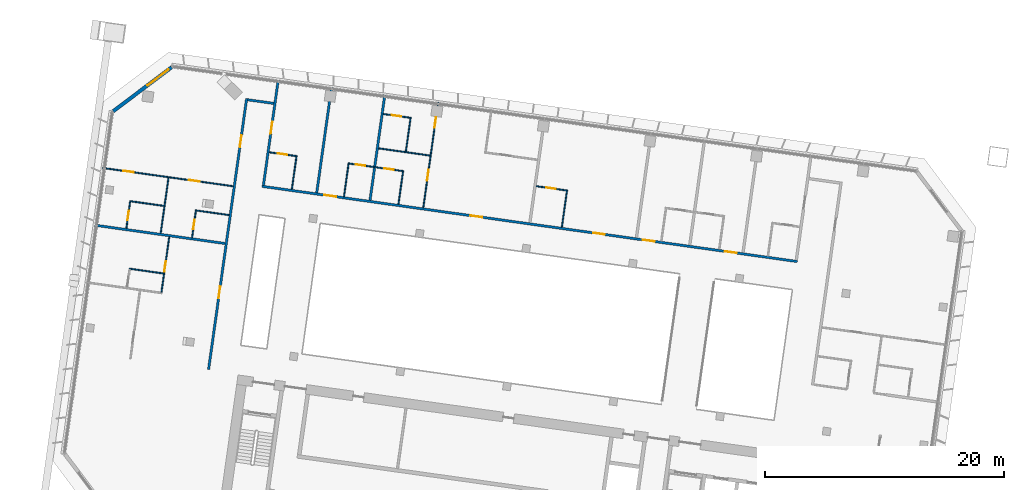
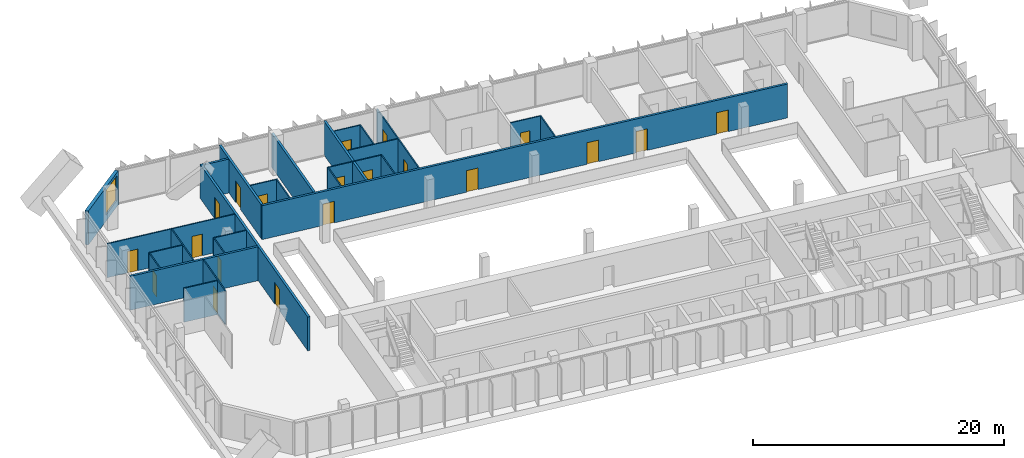
# One storey, part 20 of 34: 27 walls, 20 doors, 1 window, 21 openings.
"""IFC4 building model written with IfcOpenShell, lengths in metres."""

from ifc_helpers import new_model, si_unit, direction, frame, frame_2d, origin, place, context, subcontext, project, spatial, rectangle, extrude, material, layer, layer_set, type_object, element, fill, save


model = new_model("IFC4")

# Units and contexts
model_context = context("Model", 3, precision=1e-05, world=origin(), true_north=direction((0.0, 1.0)))
body_context = subcontext(model_context, "Body", "Model", "MODEL_VIEW")
ifc_project = project(units=[si_unit("LENGTHUNIT", "METRE"), si_unit("AREAUNIT", "SQUARE_METRE"), si_unit("VOLUMEUNIT", "CUBIC_METRE"), si_unit("PLANEANGLEUNIT", "RADIAN"), si_unit("MASSUNIT", "GRAM", prefix="KILO")], contexts=[model_context])

# Site, building, storey
site_placement = place(None, origin())
site = spatial("IfcSite", under=ifc_project, at=site_placement, CompositionType="ELEMENT")
building_placement = place(site_placement, origin())
building = spatial("IfcBuilding", under=site, at=building_placement, Name="Mirante Cascada Hotel Towers", CompositionType="ELEMENT")
storey_placement = place(building_placement, frame((0.0, 0.0, 148.1)))
storey = spatial("IfcBuildingStorey", under=building, at=storey_placement, Name="L34", CompositionType="ELEMENT", Elevation=148.1)

# Wall
ifc_material_1 = material(Name="Fire-rated plasterboard on metal studs")
ifc_layer_1 = layer(ifc_material_1, 0.2)
ifc_layer_set_1 = layer_set([ifc_layer_1], Name="Compartment wall 200 EI 120")
wall_type_1 = type_object("IfcWallType", Name="Compartment wall 200 EI 120", PredefinedType="PARTITIONING", material=ifc_layer_set_1)
wall_1_placement = place(storey_placement, frame((-100.6266, 12.8067, 0.0), z_axis=(0.0, 0.0, 1.0), x_axis=(0.990268, -0.1391733, 0.0)))
element("IfcWall", 1, at=wall_1_placement, inside=storey, type_object=wall_type_1, Name="Wall 1-L34-12", PredefinedType="PARTITIONING", context=body_context, shape_type="SweptSolid", body=[
    extrude(rectangle(XDim=11.0, YDim=0.2, at=frame_2d((5.5, 0.0))), origin(), (0.0, 0.0, 1.0), 3.3),
])

# Wall, openings, doors
wall_2_placement = place(storey_placement, frame((-86.638, 16.0582, 0.0), z_axis=(0.0, 0.0, 1.0), x_axis=(0.9902681, -0.1391726, 0.0)))
wall_2 = element("IfcWall", 2, at=wall_2_placement, inside=storey, type_object=wall_type_1, Name="Wall 1-L34-16", PredefinedType="PARTITIONING", context=body_context, shape_type="SweptSolid", body=[
    extrude(rectangle(XDim=45.2, YDim=0.2, at=frame_2d((22.6, 0.0))), origin(), (0.0, 0.0, 1.0), 3.3),
])
opening_1_placement = place(wall_2_placement, frame((39.0938, 0.0, 0.0)))
opening_1 = element("IfcOpeningElement", 3, at=opening_1_placement, cuts=wall_2, Name="Opening D1-L34-06", PredefinedType="OPENING", context=body_context, shape_type="SweptSolid", body=[
    extrude(rectangle(XDim=1.0, YDim=2.1, at=frame_2d((0.5, 1.05))), frame((0.0, 0.1, 0.0), z_axis=(0.0, -1.0, 0.0), x_axis=(1.0, 0.0, 0.0)), (0.0, 0.0, 1.0), 0.2),
])
opening_2_placement = place(wall_2_placement, frame((32.15, 0.0, 0.0)))
opening_2 = element("IfcOpeningElement", 4, at=opening_2_placement, cuts=wall_2, Name="Opening D1-L34-07", PredefinedType="OPENING", context=body_context, shape_type="SweptSolid", body=[
    extrude(rectangle(XDim=1.0, YDim=2.1, at=frame_2d((0.5, 1.05))), frame((0.0, 0.1, 0.0), z_axis=(0.0, -1.0, 0.0), x_axis=(1.0, 0.0, 0.0)), (0.0, 0.0, 1.0), 0.2),
])
opening_3_placement = place(wall_2_placement, frame((27.95, 0.0, 0.0)))
opening_3 = element("IfcOpeningElement", 5, at=opening_3_placement, cuts=wall_2, Name="Opening D1-L34-08", PredefinedType="OPENING", context=body_context, shape_type="SweptSolid", body=[
    extrude(rectangle(XDim=1.0, YDim=2.1, at=frame_2d((0.5, 1.05))), frame((0.0, 0.1, 0.0), z_axis=(0.0, -1.0, 0.0), x_axis=(1.0, 0.0, 0.0)), (0.0, 0.0, 1.0), 0.2),
])
opening_4_placement = place(wall_2_placement, frame((17.6, 0.0, 0.0)))
opening_4 = element("IfcOpeningElement", 6, at=opening_4_placement, cuts=wall_2, Name="Opening D1-L34-09", PredefinedType="OPENING", context=body_context, shape_type="SweptSolid", body=[
    extrude(rectangle(XDim=1.0, YDim=2.1, at=frame_2d((0.5, 1.05))), frame((0.0, 0.1, 0.0), z_axis=(0.0, -1.0, 0.0), x_axis=(1.0, 0.0, 0.0)), (0.0, 0.0, 1.0), 0.2),
])
opening_5_placement = place(wall_2_placement, frame((5.25, 0.0, 0.0)))
opening_5 = element("IfcOpeningElement", 7, at=opening_5_placement, cuts=wall_2, Name="Opening D1-L34-10", PredefinedType="OPENING", context=body_context, shape_type="SweptSolid", body=[
    extrude(rectangle(XDim=1.0, YDim=2.1, at=frame_2d((0.5, 1.05))), frame((0.0, 0.1, 0.0), z_axis=(0.0, -1.0, 0.0), x_axis=(1.0, 0.0, 0.0)), (0.0, 0.0, 1.0), 0.2),
])
ifc_material_2 = material(Name="Fire-rated timber door leaf", Category="wood")
door_type_1 = type_object("IfcDoorType", Name="Entrance door DG1 1000x2100 EI 60", OperationType="SINGLE_SWING_LEFT", PredefinedType="DOOR", material=ifc_material_2)
door_1_placement = place(opening_1_placement, origin())
door_1 = element("IfcDoor", 8, at=door_1_placement, inside=storey, type_object=door_type_1, Name="Door D1-L34-06", OperationType="SINGLE_SWING_LEFT", OverallHeight=2.1, OverallWidth=1.0, PredefinedType="DOOR", context=body_context, shape_type="SweptSolid", body=[
    extrude(rectangle(XDim=1.0, YDim=2.1, at=frame_2d((0.5, 1.05))), frame((0.0, 0.025, 0.0), z_axis=(0.0, -1.0, 0.0), x_axis=(1.0, 0.0, 0.0)), (0.0, 0.0, 1.0), 0.05),
])
fill(opening_1, door_1)
door_2_placement = place(opening_2_placement, origin())
door_2 = element("IfcDoor", 9, at=door_2_placement, inside=storey, type_object=door_type_1, Name="Door D1-L34-07", OperationType="SINGLE_SWING_LEFT", OverallHeight=2.1, OverallWidth=1.0, PredefinedType="DOOR", context=body_context, shape_type="SweptSolid", body=[
    extrude(rectangle(XDim=1.0, YDim=2.1, at=frame_2d((0.5, 1.05))), frame((0.0, 0.025, 0.0), z_axis=(0.0, -1.0, 0.0), x_axis=(1.0, 0.0, 0.0)), (0.0, 0.0, 1.0), 0.05),
])
fill(opening_2, door_2)
door_3_placement = place(opening_3_placement, origin())
door_3 = element("IfcDoor", 10, at=door_3_placement, inside=storey, type_object=door_type_1, Name="Door D1-L34-08", OperationType="SINGLE_SWING_LEFT", OverallHeight=2.1, OverallWidth=1.0, PredefinedType="DOOR", context=body_context, shape_type="SweptSolid", body=[
    extrude(rectangle(XDim=1.0, YDim=2.1, at=frame_2d((0.5, 1.05))), frame((0.0, 0.025, 0.0), z_axis=(0.0, -1.0, 0.0), x_axis=(1.0, 0.0, 0.0)), (0.0, 0.0, 1.0), 0.05),
])
fill(opening_3, door_3)
door_4_placement = place(opening_4_placement, origin())
door_4 = element("IfcDoor", 11, at=door_4_placement, inside=storey, type_object=door_type_1, Name="Door D1-L34-09", OperationType="SINGLE_SWING_LEFT", OverallHeight=2.1, OverallWidth=1.0, PredefinedType="DOOR", context=body_context, shape_type="SweptSolid", body=[
    extrude(rectangle(XDim=1.0, YDim=2.1, at=frame_2d((0.5, 1.05))), frame((0.0, 0.025, 0.0), z_axis=(0.0, -1.0, 0.0), x_axis=(1.0, 0.0, 0.0)), (0.0, 0.0, 1.0), 0.05),
])
fill(opening_4, door_4)
door_5_placement = place(opening_5_placement, origin())
door_5 = element("IfcDoor", 12, at=door_5_placement, inside=storey, type_object=door_type_1, Name="Door D1-L34-10", OperationType="SINGLE_SWING_LEFT", OverallHeight=2.1, OverallWidth=1.0, PredefinedType="DOOR", context=body_context, shape_type="SweptSolid", body=[
    extrude(rectangle(XDim=1.0, YDim=2.1, at=frame_2d((0.5, 1.05))), frame((0.0, 0.025, 0.0), z_axis=(0.0, -1.0, 0.0), x_axis=(1.0, 0.0, 0.0)), (0.0, 0.0, 1.0), 0.05),
])
fill(opening_5, door_5)

# Walls
wall_3_placement = place(storey_placement, frame((-85.6638, 22.9901, 0.0), z_axis=(0.0, 0.0, 1.0), x_axis=(-0.990267, 0.139181, 0.0)))
element("IfcWall", 13, at=wall_3_placement, inside=storey, type_object=wall_type_1, Name="Wall 1-L34-25", PredefinedType="PARTITIONING", context=body_context, shape_type="SweptSolid", body=[
    extrude(rectangle(XDim=2.2, YDim=0.2, at=frame_2d((1.1, 0.0))), origin(), (0.0, 0.0, 1.0), 3.3),
])
wall_4_placement = place(storey_placement, frame((-76.374, 23.7042, 0.0), z_axis=(0.0, 0.0, 1.0), x_axis=(-0.1391684, -0.9902687, 0.0)))
element("IfcWall", 14, at=wall_4_placement, inside=storey, type_object=wall_type_1, Name="Wall 1-L34-46", PredefinedType="PARTITIONING", context=body_context, shape_type="SweptSolid", body=[
    extrude(rectangle(XDim=8.9, YDim=0.2, at=frame_2d((4.45, 0.0))), origin(), (0.0, 0.0, 1.0), 3.3),
])
wall_5_placement = place(storey_placement, frame((-80.8302, 24.3304, 0.0), z_axis=(0.0, 0.0, 1.0), x_axis=(-0.13917, -0.9902685, 0.0)))
element("IfcWall", 15, at=wall_5_placement, inside=storey, type_object=wall_type_1, Name="Wall 1-L34-48", PredefinedType="PARTITIONING", context=body_context, shape_type="SweptSolid", body=[
    extrude(rectangle(XDim=8.8999, YDim=0.2, at=frame_2d((4.45, 0.0))), origin(), (0.0, 0.0, 1.0), 3.3),
])

# Wall, opening, door
wall_6_placement = place(storey_placement, frame((-85.2864, 24.9567, 0.0), z_axis=(0.0, 0.0, 1.0), x_axis=(-0.1391684, -0.9902687, 0.0)))
wall_6 = element("IfcWall", 16, at=wall_6_placement, inside=storey, type_object=wall_type_1, Name="Wall 1-L34-50", PredefinedType="PARTITIONING", context=body_context, shape_type="SweptSolid", body=[
    extrude(rectangle(XDim=8.9, YDim=0.2, at=frame_2d((4.45, 0.0))), origin(), (0.0, 0.0, 1.0), 3.3),
])
opening_6_placement = place(wall_6_placement, frame((3.55, 0.0, 0.0)))
opening_6 = element("IfcOpeningElement", 17, at=opening_6_placement, cuts=wall_6, Name="Opening D1-L34-28", PredefinedType="OPENING", context=body_context, shape_type="SweptSolid", body=[
    extrude(rectangle(XDim=1.0, YDim=2.1, at=frame_2d((0.5, 1.05))), frame((0.0, 0.1, 0.0), z_axis=(0.0, -1.0, 0.0), x_axis=(1.0, 0.0, 0.0)), (0.0, 0.0, 1.0), 0.2),
])
door_6_placement = place(opening_6_placement, origin())
door_6 = element("IfcDoor", 18, at=door_6_placement, inside=storey, type_object=door_type_1, Name="Door D1-L34-28", OperationType="SINGLE_SWING_LEFT", OverallHeight=2.1, OverallWidth=1.0, PredefinedType="DOOR", context=body_context, shape_type="SweptSolid", body=[
    extrude(rectangle(XDim=1.0, YDim=2.1, at=frame_2d((0.5, 1.05))), frame((0.0, 0.025, 0.0), z_axis=(0.0, -1.0, 0.0), x_axis=(1.0, 0.0, 0.0)), (0.0, 0.0, 1.0), 0.05),
])
fill(opening_6, door_6)

# Wall, openings, doors
wall_7_placement = place(storey_placement, frame((-91.1145, 0.7321, 0.0), z_axis=(0.0, 0.0, 1.0), x_axis=(0.1391706, 0.9902684, 0.0)))
wall_7 = element("IfcWall", 19, at=wall_7_placement, inside=storey, type_object=wall_type_1, Name="Wall 1-L34-51", PredefinedType="PARTITIONING", context=body_context, shape_type="SweptSolid", body=[
    extrude(rectangle(XDim=22.9, YDim=0.2, at=frame_2d((11.45, 0.0))), origin(), (0.0, 0.0, 1.0), 3.3),
])
opening_7_placement = place(wall_7_placement, frame((6.0167, 0.0, 0.0)))
opening_7 = element("IfcOpeningElement", 20, at=opening_7_placement, cuts=wall_7, Name="Opening D1-L34-29", PredefinedType="OPENING", context=body_context, shape_type="SweptSolid", body=[
    extrude(rectangle(XDim=1.0, YDim=2.1, at=frame_2d((0.5, 1.05))), frame((0.0, 0.1, 0.0), z_axis=(0.0, -1.0, 0.0), x_axis=(1.0, 0.0, 0.0)), (0.0, 0.0, 1.0), 0.2),
])
opening_8_placement = place(wall_7_placement, frame((18.8, 0.0, 0.0)))
opening_8 = element("IfcOpeningElement", 21, at=opening_8_placement, cuts=wall_7, Name="Opening D1-L34-30", PredefinedType="OPENING", context=body_context, shape_type="SweptSolid", body=[
    extrude(rectangle(XDim=1.0, YDim=2.1, at=frame_2d((0.5, 1.05))), frame((0.0, 0.1, 0.0), z_axis=(0.0, -1.0, 0.0), x_axis=(1.0, 0.0, 0.0)), (0.0, 0.0, 1.0), 0.2),
])
door_7_placement = place(opening_7_placement, origin())
door_7 = element("IfcDoor", 22, at=door_7_placement, inside=storey, type_object=door_type_1, Name="Door D1-L34-29", OperationType="SINGLE_SWING_LEFT", OverallHeight=2.1, OverallWidth=1.0, PredefinedType="DOOR", context=body_context, shape_type="SweptSolid", body=[
    extrude(rectangle(XDim=1.0, YDim=2.1, at=frame_2d((0.5, 1.05))), frame((0.0, 0.025, 0.0), z_axis=(0.0, -1.0, 0.0), x_axis=(1.0, 0.0, 0.0)), (0.0, 0.0, 1.0), 0.05),
])
fill(opening_7, door_7)
door_8_placement = place(opening_8_placement, origin())
door_8 = element("IfcDoor", 23, at=door_8_placement, inside=storey, type_object=door_type_1, Name="Door D1-L34-30", OperationType="SINGLE_SWING_LEFT", OverallHeight=2.1, OverallWidth=1.0, PredefinedType="DOOR", context=body_context, shape_type="SweptSolid", body=[
    extrude(rectangle(XDim=1.0, YDim=2.1, at=frame_2d((0.5, 1.05))), frame((0.0, 0.025, 0.0), z_axis=(0.0, -1.0, 0.0), x_axis=(1.0, 0.0, 0.0)), (0.0, 0.0, 1.0), 0.05),
])
fill(opening_8, door_8)

# Walls
ifc_material_3 = material(Name="Plasterboard on metal studs")
ifc_layer_2 = layer(ifc_material_3, 0.1)
ifc_layer_set_2 = layer_set([ifc_layer_2], Name="Partition 100")
wall_type_2 = type_object("IfcWallType", Name="Partition 100", PredefinedType="PARTITIONING", material=ifc_layer_set_2)
wall_8_placement = place(storey_placement, frame((-97.7546, 9.1716, 0.0), z_axis=(0.0, 0.0, 1.0), x_axis=(0.9902683, -0.1391714, 0.0)))
element("IfcWall", 24, at=wall_8_placement, inside=storey, type_object=wall_type_2, Name="Wall 1-L34-08", PredefinedType="PARTITIONING", context=body_context, shape_type="SweptSolid", body=[
    extrude(rectangle(XDim=2.9, YDim=0.1, at=frame_2d((1.45, 0.0))), origin(), (0.0, 0.0, 1.0), 3.3),
])
wall_9_placement = place(storey_placement, frame((-89.3997, 13.6525, 0.0), z_axis=(0.0, 0.0, 1.0), x_axis=(-0.9902697, 0.1391613, 0.0)))
element("IfcWall", 25, at=wall_9_placement, inside=storey, type_object=wall_type_2, Name="Wall 1-L34-13", PredefinedType="PARTITIONING", context=body_context, shape_type="SweptSolid", body=[
    extrude(rectangle(XDim=2.8499, YDim=0.1, at=frame_2d((1.425, 0.0))), origin(), (0.0, 0.0, 1.0), 3.3),
])
wall_10_placement = place(storey_placement, frame((-97.7179, 14.8215, 0.0), z_axis=(0.0, 0.0, 1.0), x_axis=(0.9902683, -0.1391714, 0.0)))
element("IfcWall", 26, at=wall_10_placement, inside=storey, type_object=wall_type_2, Name="Wall 1-L34-14", PredefinedType="PARTITIONING", context=body_context, shape_type="SweptSolid", body=[
    extrude(rectangle(XDim=2.9, YDim=0.1, at=frame_2d((1.45, 0.0))), origin(), (0.0, 0.0, 1.0), 3.3),
])

# Wall, openings, doors
wall_11_placement = place(storey_placement, frame((-89.061, 16.0622, 0.0), z_axis=(0.0, 0.0, 1.0), x_axis=(-0.9902682, 0.1391721, 0.0)))
wall_11 = element("IfcWall", 27, at=wall_11_placement, inside=storey, type_object=wall_type_2, Name="Wall 1-L34-15", PredefinedType="PARTITIONING", context=body_context, shape_type="SweptSolid", body=[
    extrude(rectangle(XDim=11.0001, YDim=0.1, at=frame_2d((5.5, 0.0))), origin(), (0.0, 0.0, 1.0), 3.3),
])
opening_9_placement = place(wall_11_placement, frame((2.825, 0.0, 0.0)))
opening_9 = element("IfcOpeningElement", 28, at=opening_9_placement, cuts=wall_11, Name="Opening D1-L34-04", PredefinedType="OPENING", context=body_context, shape_type="SweptSolid", body=[
    extrude(rectangle(XDim=0.9, YDim=2.1, at=frame_2d((0.45, 1.05))), frame((0.0, 0.05, 0.0), z_axis=(0.0, -1.0, 0.0), x_axis=(1.0, 0.0, 0.0)), (0.0, 0.0, 1.0), 0.1),
])
opening_10_placement = place(wall_11_placement, frame((8.375, 0.0, 0.0)))
opening_10 = element("IfcOpeningElement", 29, at=opening_10_placement, cuts=wall_11, Name="Opening D1-L34-05", PredefinedType="OPENING", context=body_context, shape_type="SweptSolid", body=[
    extrude(rectangle(XDim=0.9, YDim=2.1, at=frame_2d((0.45, 1.05))), frame((0.0, 0.05, 0.0), z_axis=(0.0, -1.0, 0.0), x_axis=(1.0, 0.0, 0.0)), (0.0, 0.0, 1.0), 0.1),
])
ifc_material_4 = material(Name="Timber door leaf", Category="wood")
door_type_2 = type_object("IfcDoorType", Name="Room door DG3 900x2100", OperationType="SINGLE_SWING_LEFT", PredefinedType="DOOR", material=ifc_material_4)
door_9_placement = place(opening_9_placement, frame((0.9, 0.0, 0.0), z_axis=(0.0, 0.0, 1.0), x_axis=(-1.0, 0.0, 0.0)))
door_9 = element("IfcDoor", 30, at=door_9_placement, inside=storey, type_object=door_type_2, Name="Door D1-L34-04", OperationType="SINGLE_SWING_RIGHT", OverallHeight=2.1, OverallWidth=0.9, PredefinedType="DOOR", context=body_context, shape_type="SweptSolid", body=[
    extrude(rectangle(XDim=0.9, YDim=2.1, at=frame_2d((0.45, 1.05))), frame((0.0, 0.025, 0.0), z_axis=(0.0, -1.0, 0.0), x_axis=(1.0, 0.0, 0.0)), (0.0, 0.0, 1.0), 0.05),
])
fill(opening_9, door_9)
door_10_placement = place(opening_10_placement, frame((0.9, 0.0, 0.0), z_axis=(0.0, 0.0, 1.0), x_axis=(-1.0, 0.0, 0.0)))
door_10 = element("IfcDoor", 31, at=door_10_placement, inside=storey, type_object=door_type_2, Name="Door D1-L34-05", OperationType="SINGLE_SWING_RIGHT", OverallHeight=2.1, OverallWidth=0.9, PredefinedType="DOOR", context=body_context, shape_type="SweptSolid", body=[
    extrude(rectangle(XDim=0.9, YDim=2.1, at=frame_2d((0.45, 1.05))), frame((0.0, 0.025, 0.0), z_axis=(0.0, -1.0, 0.0), x_axis=(1.0, 0.0, 0.0)), (0.0, 0.0, 1.0), 0.05),
])
fill(opening_10, door_10)

wall_12_placement = place(storey_placement, frame((-74.7968, 17.3226, 0.0), z_axis=(0.0, 0.0, 1.0), x_axis=(-0.9902682, 0.139172, 0.0)))
wall_12 = element("IfcWall", 32, at=wall_12_placement, inside=storey, type_object=wall_type_2, Name="Wall 1-L34-19", PredefinedType="PARTITIONING", context=body_context, shape_type="SweptSolid", body=[
    extrude(rectangle(XDim=4.6999, YDim=0.1, at=frame_2d((2.35, 0.0))), origin(), (0.0, 0.0, 1.0), 3.3),
])
opening_11_placement = place(wall_12_placement, frame((0.85, 0.0, 0.0)))
opening_11 = element("IfcOpeningElement", 33, at=opening_11_placement, cuts=wall_12, Name="Opening D1-L34-14", PredefinedType="OPENING", context=body_context, shape_type="SweptSolid", body=[
    extrude(rectangle(XDim=0.8, YDim=2.1, at=frame_2d((0.4, 1.05))), frame((0.0, 0.05, 0.0), z_axis=(0.0, -1.0, 0.0), x_axis=(1.0, 0.0, 0.0)), (0.0, 0.0, 1.0), 0.1),
])
opening_12_placement = place(wall_12_placement, frame((3.25, 0.0, 0.0)))
opening_12 = element("IfcOpeningElement", 34, at=opening_12_placement, cuts=wall_12, Name="Opening D1-L34-15", PredefinedType="OPENING", context=body_context, shape_type="SweptSolid", body=[
    extrude(rectangle(XDim=0.8, YDim=2.1, at=frame_2d((0.4, 1.05))), frame((0.0, 0.05, 0.0), z_axis=(0.0, -1.0, 0.0), x_axis=(1.0, 0.0, 0.0)), (0.0, 0.0, 1.0), 0.1),
])
ifc_material_5 = material(Name="Timber door leaf", Category="wood")
door_type_3 = type_object("IfcDoorType", Name="Bathroom door DG4 800x2100", OperationType="SINGLE_SWING_LEFT", PredefinedType="DOOR", material=ifc_material_5)
door_11_placement = place(opening_11_placement, origin())
door_11 = element("IfcDoor", 35, at=door_11_placement, inside=storey, type_object=door_type_3, Name="Door D1-L34-14", OperationType="SINGLE_SWING_LEFT", OverallHeight=2.1, OverallWidth=0.8, PredefinedType="DOOR", context=body_context, shape_type="SweptSolid", body=[
    extrude(rectangle(XDim=0.8, YDim=2.1, at=frame_2d((0.4, 1.05))), frame((0.0, 0.025, 0.0), z_axis=(0.0, -1.0, 0.0), x_axis=(1.0, 0.0, 0.0)), (0.0, 0.0, 1.0), 0.05),
])
fill(opening_11, door_11)
door_12_placement = place(opening_12_placement, frame((0.8, 0.0, 0.0), z_axis=(0.0, 0.0, 1.0), x_axis=(-1.0, 0.0, 0.0)))
door_12 = element("IfcDoor", 36, at=door_12_placement, inside=storey, type_object=door_type_3, Name="Door D1-L34-15", OperationType="SINGLE_SWING_RIGHT", OverallHeight=2.1, OverallWidth=0.8, PredefinedType="DOOR", context=body_context, shape_type="SweptSolid", body=[
    extrude(rectangle(XDim=0.8, YDim=2.1, at=frame_2d((0.4, 1.05))), frame((0.0, 0.025, 0.0), z_axis=(0.0, -1.0, 0.0), x_axis=(1.0, 0.0, 0.0)), (0.0, 0.0, 1.0), 0.05),
])
fill(opening_12, door_12)

# Wall, opening, door
wall_13_placement = place(storey_placement, frame((-86.0363, 18.9022, 0.0), z_axis=(0.0, 0.0, 1.0), x_axis=(0.9902643, -0.1391997, 0.0)))
wall_13 = element("IfcWall", 37, at=wall_13_placement, inside=storey, type_object=wall_type_2, Name="Wall 1-L34-20", PredefinedType="PARTITIONING", context=body_context, shape_type="SweptSolid", body=[
    extrude(rectangle(XDim=2.25, YDim=0.1, at=frame_2d((1.125, 0.0))), origin(), (0.0, 0.0, 1.0), 3.3),
])
opening_13_placement = place(wall_13_placement, frame((0.7, 0.0, 0.0)))
opening_13 = element("IfcOpeningElement", 38, at=opening_13_placement, cuts=wall_13, Name="Opening D1-L34-16", PredefinedType="OPENING", context=body_context, shape_type="SweptSolid", body=[
    extrude(rectangle(XDim=0.8, YDim=2.1, at=frame_2d((0.4, 1.05))), frame((0.0, 0.05, 0.0), z_axis=(0.0, -1.0, 0.0), x_axis=(1.0, 0.0, 0.0)), (0.0, 0.0, 1.0), 0.1),
])
door_13_placement = place(opening_13_placement, origin())
door_13 = element("IfcDoor", 39, at=door_13_placement, inside=storey, type_object=door_type_3, Name="Door D1-L34-16", OperationType="SINGLE_SWING_LEFT", OverallHeight=2.1, OverallWidth=0.8, PredefinedType="DOOR", context=body_context, shape_type="SweptSolid", body=[
    extrude(rectangle(XDim=0.8, YDim=2.1, at=frame_2d((0.4, 1.05))), frame((0.0, 0.025, 0.0), z_axis=(0.0, -1.0, 0.0), x_axis=(1.0, 0.0, 0.0)), (0.0, 0.0, 1.0), 0.05),
])
fill(opening_13, door_13)

wall_14_placement = place(storey_placement, frame((-61.1884, 15.713, 0.0), z_axis=(0.0, 0.0, 1.0), x_axis=(-0.990267, 0.1391809, 0.0)))
wall_14 = element("IfcWall", 40, at=wall_14_placement, inside=storey, type_object=wall_type_2, Name="Wall 1-L34-21", PredefinedType="PARTITIONING", context=body_context, shape_type="SweptSolid", body=[
    extrude(rectangle(XDim=2.5499, YDim=0.1, at=frame_2d((1.275, 0.0))), origin(), (0.0, 0.0, 1.0), 3.3),
])
opening_14_placement = place(wall_14_placement, frame((0.9, 0.0, 0.0)))
opening_14 = element("IfcOpeningElement", 41, at=opening_14_placement, cuts=wall_14, Name="Opening D1-L34-17", PredefinedType="OPENING", context=body_context, shape_type="SweptSolid", body=[
    extrude(rectangle(XDim=0.8, YDim=2.1, at=frame_2d((0.4, 1.05))), frame((0.0, 0.05, 0.0), z_axis=(0.0, -1.0, 0.0), x_axis=(1.0, 0.0, 0.0)), (0.0, 0.0, 1.0), 0.1),
])
door_14_placement = place(opening_14_placement, frame((0.8, 0.0, 0.0), z_axis=(0.0, 0.0, 1.0), x_axis=(-1.0, 0.0, 0.0)))
door_14 = element("IfcDoor", 42, at=door_14_placement, inside=storey, type_object=door_type_3, Name="Door D1-L34-17", OperationType="SINGLE_SWING_RIGHT", OverallHeight=2.1, OverallWidth=0.8, PredefinedType="DOOR", context=body_context, shape_type="SweptSolid", body=[
    extrude(rectangle(XDim=0.8, YDim=2.1, at=frame_2d((0.4, 1.05))), frame((0.0, 0.025, 0.0), z_axis=(0.0, -1.0, 0.0), x_axis=(1.0, 0.0, 0.0)), (0.0, 0.0, 1.0), 0.05),
])
fill(opening_14, door_14)

# Wall
wall_15_placement = place(storey_placement, frame((-76.9012, 19.234, 0.0), z_axis=(0.0, 0.0, 1.0), x_axis=(0.9902679, -0.1391745, 0.0)))
element("IfcWall", 43, at=wall_15_placement, inside=storey, type_object=wall_type_2, Name="Wall 1-L34-22", PredefinedType="PARTITIONING", context=body_context, shape_type="SweptSolid", body=[
    extrude(rectangle(XDim=4.3499, YDim=0.1, at=frame_2d((2.175, 0.0))), origin(), (0.0, 0.0, 1.0), 3.3),
])

# Wall, opening, door
wall_16_placement = place(storey_placement, frame((-76.4976, 22.1058, 0.0), z_axis=(0.0, 0.0, 1.0), x_axis=(0.9902705, -0.1391561, 0.0)))
wall_16 = element("IfcWall", 44, at=wall_16_placement, inside=storey, type_object=wall_type_2, Name="Wall 1-L34-26", PredefinedType="PARTITIONING", context=body_context, shape_type="SweptSolid", body=[
    extrude(rectangle(XDim=2.25, YDim=0.1, at=frame_2d((1.125, 0.0))), origin(), (0.0, 0.0, 1.0), 3.3),
])
opening_15_placement = place(wall_16_placement, frame((0.7, 0.0, 0.0)))
opening_15 = element("IfcOpeningElement", 45, at=opening_15_placement, cuts=wall_16, Name="Opening D1-L34-19", PredefinedType="OPENING", context=body_context, shape_type="SweptSolid", body=[
    extrude(rectangle(XDim=0.8, YDim=2.1, at=frame_2d((0.4, 1.05))), frame((0.0, 0.05, 0.0), z_axis=(0.0, -1.0, 0.0), x_axis=(1.0, 0.0, 0.0)), (0.0, 0.0, 1.0), 0.1),
])
door_15_placement = place(opening_15_placement, frame((0.8, 0.0, 0.0), z_axis=(0.0, 0.0, 1.0), x_axis=(-1.0, 0.0, 0.0)))
door_15 = element("IfcDoor", 46, at=door_15_placement, inside=storey, type_object=door_type_3, Name="Door D1-L34-19", OperationType="SINGLE_SWING_RIGHT", OverallHeight=2.1, OverallWidth=0.8, PredefinedType="DOOR", context=body_context, shape_type="SweptSolid", body=[
    extrude(rectangle(XDim=0.8, YDim=2.1, at=frame_2d((0.4, 1.05))), frame((0.0, 0.025, 0.0), z_axis=(0.0, -1.0, 0.0), x_axis=(1.0, 0.0, 0.0)), (0.0, 0.0, 1.0), 0.05),
])
fill(opening_15, door_15)

# Wall
wall_17_placement = place(storey_placement, frame((-61.1319, 15.7555, 0.0), z_axis=(0.0, 0.0, 1.0), x_axis=(-0.1391765, -0.9902676, 0.0)))
element("IfcWall", 47, at=wall_17_placement, inside=storey, type_object=wall_type_2, Name="Wall 1-L34-40", PredefinedType="PARTITIONING", context=body_context, shape_type="SweptSolid", body=[
    extrude(rectangle(XDim=3.15, YDim=0.1, at=frame_2d((1.575, 0.0))), origin(), (0.0, 0.0, 1.0), 3.3),
])

# Wall, openings, doors
wall_18_placement = place(storey_placement, frame((-73.1564, 14.2645, 0.0), z_axis=(0.0, 0.0, 1.0), x_axis=(0.1391684, 0.9902687, 0.0)))
wall_18 = element("IfcWall", 48, at=wall_18_placement, inside=storey, type_object=wall_type_2, Name="Wall 1-L34-43", PredefinedType="PARTITIONING", context=body_context, shape_type="SweptSolid", body=[
    extrude(rectangle(XDim=8.9, YDim=0.1, at=frame_2d((4.45, 0.0))), origin(), (0.0, 0.0, 1.0), 3.3),
])
opening_16_placement = place(wall_18_placement, frame((2.3, 0.0, 0.0)))
opening_16 = element("IfcOpeningElement", 49, at=opening_16_placement, cuts=wall_18, Name="Opening D1-L34-26", PredefinedType="OPENING", context=body_context, shape_type="SweptSolid", body=[
    extrude(rectangle(XDim=0.9, YDim=2.1, at=frame_2d((0.45, 1.05))), frame((0.0, 0.05, 0.0), z_axis=(0.0, -1.0, 0.0), x_axis=(1.0, 0.0, 0.0)), (0.0, 0.0, 1.0), 0.1),
])
opening_17_placement = place(wall_18_placement, frame((6.75, 0.0, 0.0)))
opening_17 = element("IfcOpeningElement", 50, at=opening_17_placement, cuts=wall_18, Name="Opening D1-L34-27", PredefinedType="OPENING", context=body_context, shape_type="SweptSolid", body=[
    extrude(rectangle(XDim=0.9, YDim=2.1, at=frame_2d((0.45, 1.05))), frame((0.0, 0.05, 0.0), z_axis=(0.0, -1.0, 0.0), x_axis=(1.0, 0.0, 0.0)), (0.0, 0.0, 1.0), 0.1),
])
door_16_placement = place(opening_16_placement, frame((0.9, 0.0, 0.0), z_axis=(0.0, 0.0, 1.0), x_axis=(-1.0, 0.0, 0.0)))
door_16 = element("IfcDoor", 51, at=door_16_placement, inside=storey, type_object=door_type_2, Name="Door D1-L34-26", OperationType="SINGLE_SWING_RIGHT", OverallHeight=2.1, OverallWidth=0.9, PredefinedType="DOOR", context=body_context, shape_type="SweptSolid", body=[
    extrude(rectangle(XDim=0.9, YDim=2.1, at=frame_2d((0.45, 1.05))), frame((0.0, 0.025, 0.0), z_axis=(0.0, -1.0, 0.0), x_axis=(1.0, 0.0, 0.0)), (0.0, 0.0, 1.0), 0.05),
])
fill(opening_16, door_16)
door_17_placement = place(opening_17_placement, frame((0.9, 0.0, 0.0), z_axis=(0.0, 0.0, 1.0), x_axis=(-1.0, 0.0, 0.0)))
door_17 = element("IfcDoor", 52, at=door_17_placement, inside=storey, type_object=door_type_2, Name="Door D1-L34-27", OperationType="SINGLE_SWING_RIGHT", OverallHeight=2.1, OverallWidth=0.9, PredefinedType="DOOR", context=body_context, shape_type="SweptSolid", body=[
    extrude(rectangle(XDim=0.9, YDim=2.1, at=frame_2d((0.45, 1.05))), frame((0.0, 0.025, 0.0), z_axis=(0.0, -1.0, 0.0), x_axis=(1.0, 0.0, 0.0)), (0.0, 0.0, 1.0), 0.05),
])
fill(opening_17, door_17)

# Walls
wall_19_placement = place(storey_placement, frame((-74.8533, 17.28, 0.0), z_axis=(0.0, 0.0, 1.0), x_axis=(-0.1391657, -0.9902691, 0.0)))
element("IfcWall", 53, at=wall_19_placement, inside=storey, type_object=wall_type_2, Name="Wall 1-L34-44", PredefinedType="PARTITIONING", context=body_context, shape_type="SweptSolid", body=[
    extrude(rectangle(XDim=2.75, YDim=0.1, at=frame_2d((1.375, 0.0))), origin(), (0.0, 0.0, 1.0), 3.3),
])
wall_20_placement = place(storey_placement, frame((-74.6167, 18.9635, 0.0), z_axis=(0.0, 0.0, 1.0), x_axis=(0.1391761, 0.9902676, 0.0)))
element("IfcWall", 54, at=wall_20_placement, inside=storey, type_object=wall_type_2, Name="Wall 1-L34-45", PredefinedType="PARTITIONING", context=body_context, shape_type="SweptSolid", body=[
    extrude(rectangle(XDim=2.8999, YDim=0.1, at=frame_2d((1.45, 0.0))), origin(), (0.0, 0.0, 1.0), 3.3),
])
wall_21_placement = place(storey_placement, frame((-79.7912, 15.197, 0.0), z_axis=(0.0, 0.0, 1.0), x_axis=(0.1391657, 0.9902691, 0.0)))
element("IfcWall", 55, at=wall_21_placement, inside=storey, type_object=wall_type_2, Name="Wall 1-L34-47", PredefinedType="PARTITIONING", context=body_context, shape_type="SweptSolid", body=[
    extrude(rectangle(XDim=2.75, YDim=0.1, at=frame_2d((1.375, 0.0))), origin(), (0.0, 0.0, 1.0), 3.3),
])
wall_22_placement = place(storey_placement, frame((-84.1484, 15.8093, 0.0), z_axis=(0.0, 0.0, 1.0), x_axis=(0.1391909, 0.9902656, 0.0)))
element("IfcWall", 56, at=wall_22_placement, inside=storey, type_object=wall_type_2, Name="Wall 1-L34-49", PredefinedType="PARTITIONING", context=body_context, shape_type="SweptSolid", body=[
    extrude(rectangle(XDim=2.85, YDim=0.1, at=frame_2d((1.425, 0.0))), origin(), (0.0, 0.0, 1.0), 3.3),
])

# Wall, opening, door
wall_23_placement = place(storey_placement, frame((-92.1794, 13.9926, 0.0), z_axis=(0.0, 0.0, 1.0), x_axis=(-0.1391561, -0.9902705, 0.0)))
wall_23 = element("IfcWall", 57, at=wall_23_placement, inside=storey, type_object=wall_type_2, Name="Wall 1-L34-52", PredefinedType="PARTITIONING", context=body_context, shape_type="SweptSolid", body=[
    extrude(rectangle(XDim=2.25, YDim=0.1, at=frame_2d((1.125, 0.0))), origin(), (0.0, 0.0, 1.0), 3.3),
])
opening_18_placement = place(wall_23_placement, frame((0.75, 0.0, 0.0)))
opening_18 = element("IfcOpeningElement", 58, at=opening_18_placement, cuts=wall_23, Name="Opening D1-L34-31", PredefinedType="OPENING", context=body_context, shape_type="SweptSolid", body=[
    extrude(rectangle(XDim=0.8, YDim=2.1, at=frame_2d((0.4, 1.05))), frame((0.0, 0.05, 0.0), z_axis=(0.0, -1.0, 0.0), x_axis=(1.0, 0.0, 0.0)), (0.0, 0.0, 1.0), 0.1),
])
door_18_placement = place(opening_18_placement, origin())
door_18 = element("IfcDoor", 59, at=door_18_placement, inside=storey, type_object=door_type_3, Name="Door D1-L34-31", OperationType="SINGLE_SWING_LEFT", OverallHeight=2.1, OverallWidth=0.8, PredefinedType="DOOR", context=body_context, shape_type="SweptSolid", body=[
    extrude(rectangle(XDim=0.8, YDim=2.1, at=frame_2d((0.4, 1.05))), frame((0.0, 0.025, 0.0), z_axis=(0.0, -1.0, 0.0), x_axis=(1.0, 0.0, 0.0)), (0.0, 0.0, 1.0), 0.05),
])
fill(opening_18, door_18)

wall_24_placement = place(storey_placement, frame((-95.0537, 7.1932, 0.0), z_axis=(0.0, 0.0, 1.0), x_axis=(0.139176, 0.9902677, 0.0)))
wall_24 = element("IfcWall", 60, at=wall_24_placement, inside=storey, type_object=wall_type_2, Name="Wall 1-L34-53", PredefinedType="PARTITIONING", context=body_context, shape_type="SweptSolid", body=[
    extrude(rectangle(XDim=4.6833, YDim=0.1, at=frame_2d((2.3416, 0.0))), origin(), (0.0, 0.0, 1.0), 3.3),
])
opening_19_placement = place(wall_24_placement, frame((1.7333, 0.0, 0.0)))
opening_19 = element("IfcOpeningElement", 61, at=opening_19_placement, cuts=wall_24, Name="Opening D1-L34-32", PredefinedType="OPENING", context=body_context, shape_type="SweptSolid", body=[
    extrude(rectangle(XDim=0.9, YDim=2.1, at=frame_2d((0.45, 1.05))), frame((0.0, 0.05, 0.0), z_axis=(0.0, -1.0, 0.0), x_axis=(1.0, 0.0, 0.0)), (0.0, 0.0, 1.0), 0.1),
])
door_19_placement = place(opening_19_placement, frame((0.9, 0.0, 0.0), z_axis=(0.0, 0.0, 1.0), x_axis=(-1.0, 0.0, 0.0)))
door_19 = element("IfcDoor", 62, at=door_19_placement, inside=storey, type_object=door_type_2, Name="Door D1-L34-32", OperationType="SINGLE_SWING_RIGHT", OverallHeight=2.1, OverallWidth=0.9, PredefinedType="DOOR", context=body_context, shape_type="SweptSolid", body=[
    extrude(rectangle(XDim=0.9, YDim=2.1, at=frame_2d((0.45, 1.05))), frame((0.0, 0.025, 0.0), z_axis=(0.0, -1.0, 0.0), x_axis=(1.0, 0.0, 0.0)), (0.0, 0.0, 1.0), 0.05),
])
fill(opening_19, door_19)

# Wall
wall_25_placement = place(storey_placement, frame((-94.4649, 16.7712, 0.0), z_axis=(0.0, 0.0, 1.0), x_axis=(-0.1391701, -0.9902685, 0.0)))
element("IfcWall", 63, at=wall_25_placement, inside=storey, type_object=wall_type_2, Name="Wall 1-L34-54", PredefinedType="PARTITIONING", context=body_context, shape_type="SweptSolid", body=[
    extrude(rectangle(XDim=4.6835, YDim=0.1, at=frame_2d((2.3418, 0.0))), origin(), (0.0, 0.0, 1.0), 3.3),
])

# Wall, opening, door
wall_26_placement = place(storey_placement, frame((-97.9885, 12.5369, 0.0), z_axis=(0.0, 0.0, 1.0), x_axis=(0.1391561, 0.9902705, 0.0)))
wall_26 = element("IfcWall", 64, at=wall_26_placement, inside=storey, type_object=wall_type_2, Name="Wall 1-L34-57", PredefinedType="PARTITIONING", context=body_context, shape_type="SweptSolid", body=[
    extrude(rectangle(XDim=2.25, YDim=0.1, at=frame_2d((1.125, 0.0))), origin(), (0.0, 0.0, 1.0), 3.3),
])
opening_20_placement = place(wall_26_placement, frame((0.7, 0.0, 0.0)))
opening_20 = element("IfcOpeningElement", 65, at=opening_20_placement, cuts=wall_26, Name="Opening D1-L34-35", PredefinedType="OPENING", context=body_context, shape_type="SweptSolid", body=[
    extrude(rectangle(XDim=0.8, YDim=2.1, at=frame_2d((0.4, 1.05))), frame((0.0, 0.05, 0.0), z_axis=(0.0, -1.0, 0.0), x_axis=(1.0, 0.0, 0.0)), (0.0, 0.0, 1.0), 0.1),
])
door_20_placement = place(opening_20_placement, frame((0.8, 0.0, 0.0), z_axis=(0.0, 0.0, 1.0), x_axis=(-1.0, 0.0, 0.0)))
door_20 = element("IfcDoor", 66, at=door_20_placement, inside=storey, type_object=door_type_3, Name="Door D1-L34-35", OperationType="SINGLE_SWING_RIGHT", OverallHeight=2.1, OverallWidth=0.8, PredefinedType="DOOR", context=body_context, shape_type="SweptSolid", body=[
    extrude(rectangle(XDim=0.8, YDim=2.1, at=frame_2d((0.4, 1.05))), frame((0.0, 0.025, 0.0), z_axis=(0.0, -1.0, 0.0), x_axis=(1.0, 0.0, 0.0)), (0.0, 0.0, 1.0), 0.05),
])
fill(opening_20, door_20)

# Wall, opening, window
ifc_material_6 = material(Name="Precast concrete C40/50", Category="concrete")
ifc_layer_3 = layer(ifc_material_6, 0.3)
ifc_layer_set_3 = layer_set([ifc_layer_3], Name="Precast concrete C40/50 cladding wall 300")
wall_type_3 = type_object("IfcWallType", Name="Precast concrete C40/50 cladding wall 300", PredefinedType="STANDARD", material=ifc_layer_set_3)
wall_27_placement = place(storey_placement, frame((-99.0919, 22.3343, 0.0), z_axis=(0.0, 0.0, 1.0), x_axis=(0.7986362, 0.6018141, 0.0)))
wall_27 = element("IfcWall", 67, at=wall_27_placement, inside=storey, type_object=wall_type_3, Name="Corner cladding wall T1 L34 outer front", PredefinedType="STANDARD", context=body_context, shape_type="SweptSolid", body=[
    extrude(rectangle(XDim=6.1157, YDim=0.3, at=frame_2d((3.0578, 0.0))), origin(), (0.0, 0.0, 1.0), 3.3),
])
opening_21_placement = place(wall_27_placement, frame((3.595, 0.0, 0.6)))
opening_21 = element("IfcOpeningElement", 68, at=opening_21_placement, cuts=wall_27, Name="Opening W1-34-04", PredefinedType="OPENING", context=body_context, shape_type="SweptSolid", body=[
    extrude(rectangle(XDim=2.2, YDim=2.4, at=frame_2d((1.1, 1.2))), frame((0.0, 0.15, 0.0), z_axis=(0.0, -1.0, 0.0), x_axis=(1.0, 0.0, 0.0)), (0.0, 0.0, 1.0), 0.3),
])
ifc_material_7 = material(Name="Aluminium frame with clear double glazing", Category="aluminium")
window_type = type_object("IfcWindowType", Name="Corner suite window 2200x2400", PartitioningType="DOUBLE_PANEL_VERTICAL", PredefinedType="WINDOW", material=ifc_material_7)
window_placement = place(opening_21_placement, origin())
window = element("IfcWindow", 69, at=window_placement, inside=storey, type_object=window_type, Name="Window W1-34-04", OverallHeight=2.4, OverallWidth=2.2, PartitioningType="SINGLE_PANEL", PredefinedType="WINDOW", context=body_context, shape_type="SweptSolid", body=[
    extrude(rectangle(XDim=2.2, YDim=2.4, at=frame_2d((1.1, 1.2))), frame((0.0, 0.03, 0.0), z_axis=(0.0, -1.0, 0.0), x_axis=(1.0, 0.0, 0.0)), (0.0, 0.0, 1.0), 0.06),
])
fill(opening_21, window)

save(model, "model.ifc")
